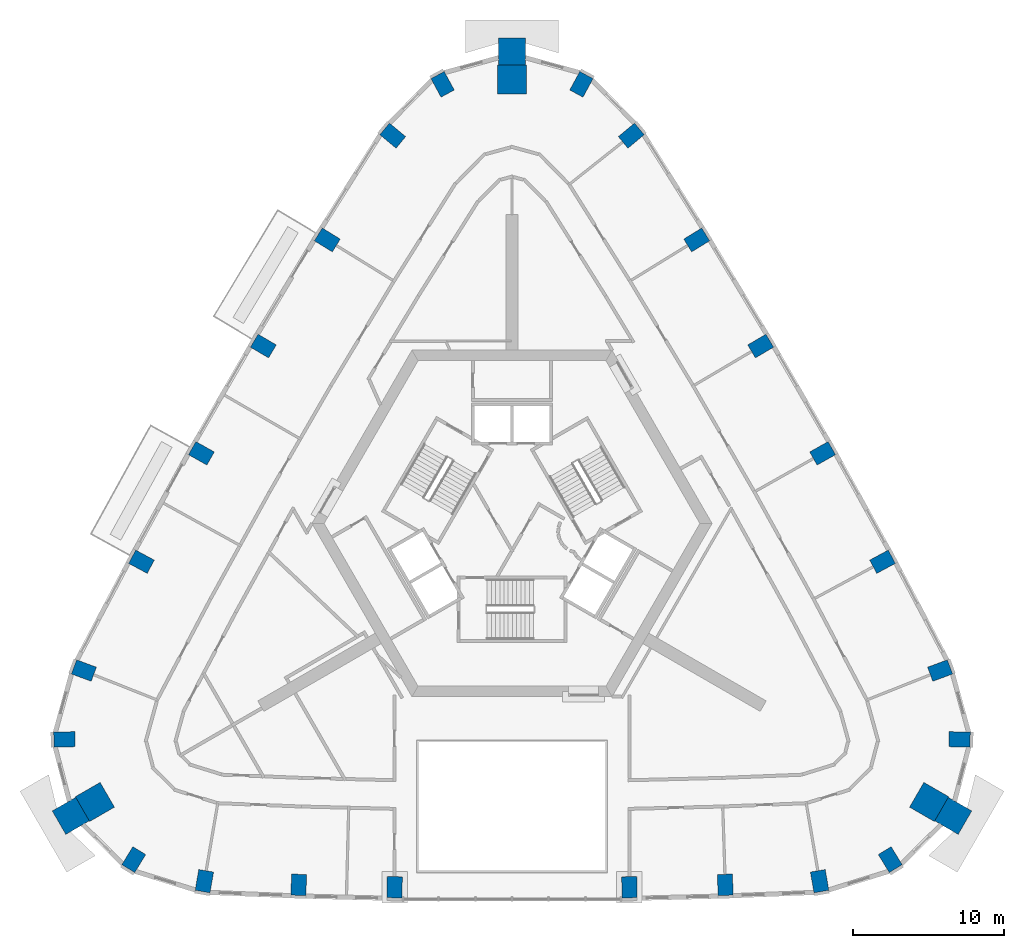
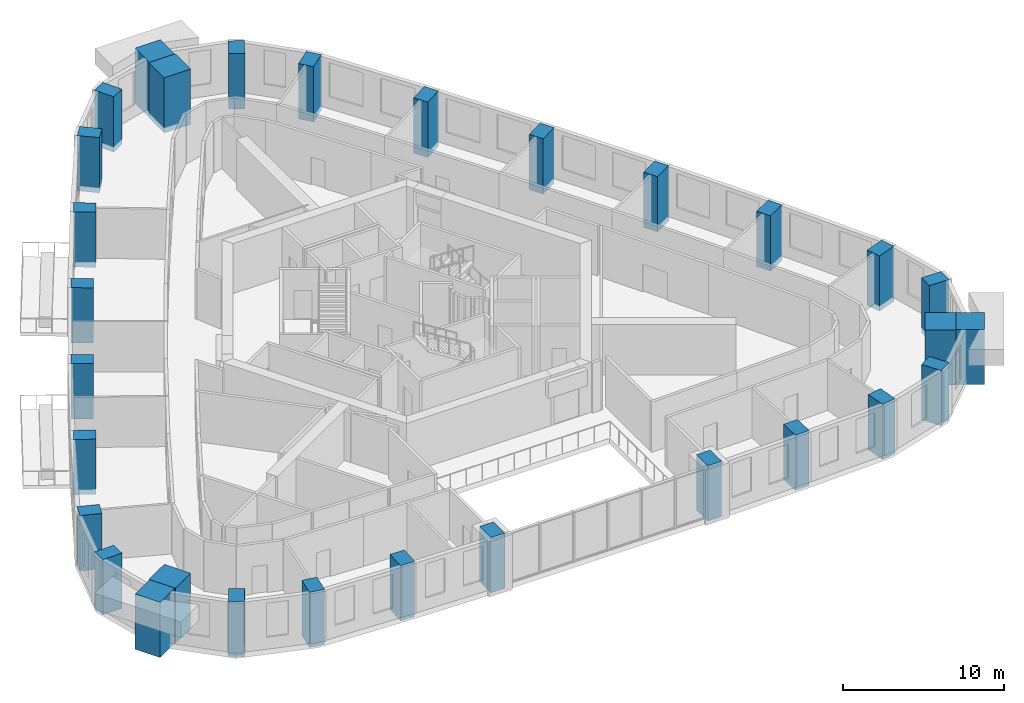
# One storey, part 1 of 13: 30 columns.
"""IFC4 building model written with IfcOpenShell, lengths in metres."""

from ifc_helpers import new_model, si_unit, direction, frame, origin, origin_2d, place, context, subcontext, project, spatial, rectangle, extrude, material, material_profile, profile_set, type_object, element, save


model = new_model("IFC4")

# Units and contexts
model_context = context("Model", 3, precision=1e-05, world=origin(), true_north=direction((0.0, 1.0)))
body_context = subcontext(model_context, "Body", "Model", "MODEL_VIEW")
ifc_project = project(units=[si_unit("LENGTHUNIT", "METRE"), si_unit("AREAUNIT", "SQUARE_METRE"), si_unit("VOLUMEUNIT", "CUBIC_METRE"), si_unit("PLANEANGLEUNIT", "RADIAN"), si_unit("MASSUNIT", "GRAM", prefix="KILO")], contexts=[model_context])

# Site, building, storey
site_placement = place(None, origin())
site = spatial("IfcSite", under=ifc_project, at=site_placement, CompositionType="ELEMENT")
building_placement = place(site_placement, origin())
building = spatial("IfcBuilding", under=site, at=building_placement, Name="Entoto Arch Interchange Tower", CompositionType="ELEMENT")
storey_placement = place(building_placement, frame((0.0, 0.0, 210.800048828125)))
storey = spatial("IfcBuildingStorey", under=building, at=storey_placement, Name="L47", CompositionType="ELEMENT", Elevation=210.800048828125)

# Columns
ifc_material_1 = material(Name="Concrete C50/60", Category="concrete")
ifc_material_profile_1 = material_profile(ifc_material_1, rectangle(XDim=1.0, YDim=1.39990234375, at=origin_2d()))
ifc_profile_set_1 = profile_set([ifc_material_profile_1], Name="Concrete C50/60")
column_type_1 = type_object("IfcColumnType", Name="Column RC 1000x1400 C50/60", PredefinedType="COLUMN", material=ifc_profile_set_1)
for number, where, z_axis, x_axis, name in (
    (1, (-20.4169921875, -21.240966796875, -0.400146484375), (0.0, 0.0, 1.0), (-0.985541276773, 0.169435509195, 0.0), "Column S01 L47"),
    (2, (-14.154052734375, -21.48388671875, -0.400146484375), (0.0, 0.0, 1.0), (-0.999420902032, 0.034027350502, 0.0), "Column S02 L47"),
    (3, (-7.7880859375, -21.64404296875, -0.400146484375), (0.0, 0.0, 1.0), (-0.999913181484, 0.013176854508, 0.0), "Column S03 L47"),
    (4, (7.7880859375, -21.64404296875, -0.400146484375), (0.0, 0.0, 1.0), (0.999913181484, 0.013176854508, 0.0), "Column S04 L47"),
    (5, (14.154052734375, -21.48388671875, -0.400146484375), (0.0, 0.0, 1.0), (0.999420902032, 0.034027350502, 0.0), "Column S05 L47"),
    (6, (20.4169921875, -21.240966796875, -0.400146484375), (0.0, 0.0, 1.0), (0.985541276773, 0.169435509195, 0.0), "Column S06 L47"),
    (7, (25.10205078125, -19.81103515625, -0.400146484375), (0.0, 0.0, 1.0), (0.853423465127, 0.521218178089, 0.0), "Column SE1 L47"),
    (8, (29.70703125, -11.833984375, -0.400146484375), (0.0, 0.0, 1.0), (0.024676450576, 0.99969549003, 0.0), "Column SE3 L47"),
    (9, (28.412109375, -7.263916015625, -0.400146484375), (0.0, 0.0, 1.0), (-0.34706660219, 0.937840484114, 0.0), "Column NE01 L47"),
    (10, (24.591064453125, -0.0419921875, -0.400146484375), (0.0, 0.0, 1.0), (-0.474134310084, 0.880452529102, 0.0), "Column NE02 L47"),
    (11, (20.614990234375, 7.155029296875, -0.400146484375), (0.0, 0.0, 1.0), (-0.491435856222, 0.870913772551, 0.0), "Column NE03 L47"),
    (12, (16.50390625, 14.27490234375, -0.400146484375), (0.0, 0.0, 1.0), (-0.508515523424, 0.861052822095, 0.0), "Column NE04 L47"),
    (13, (12.259033203125, 21.31689453125, -0.400146484375), (0.0, 0.0, 1.0), (-0.525427101986, 0.850838621889, 0.0), "Column NE05 L47"),
    (14, (7.9140625, 28.238037109375, -0.400146484375), (0.0, 0.0, 1.0), (-0.638660382845, 0.769488736359, 0.0), "Column NE06 L47"),
    (15, (4.60498046875, 31.64404296875, -0.400146484375), (0.0, 0.0, 1.0), (-0.878099915703, 0.478477311941, 0.0), "Column N1 L47"),
    (16, (-4.60498046875, 31.64404296875, -0.400146484375), (0.0, 0.0, 1.0), (0.878099915703, 0.478477311941, 0.0), "Column N3 L47"),
    (17, (-7.9140625, 28.238037109375, -0.400146484375), (0.0, 0.0, 1.0), (0.638660382845, 0.769488736359, 0.0), "Column NW01 L47"),
    (18, (-12.259033203125, 21.31689453125, -0.400146484375), (0.0, 0.0, 1.0), (0.525427101986, 0.850838621889, 0.0), "Column NW02 L47"),
    (19, (-16.50390625, 14.27490234375, -0.400146484375), (0.0, 0.0, 1.0), (0.508515523424, 0.861052822095, 0.0), "Column NW03 L47"),
    (20, (-20.614990234375, 7.155029296875, -0.400146484375), (0.0, 0.0, 1.0), (0.491435856222, 0.870913772551, 0.0), "Column NW04 L47"),
    (21, (-24.591064453125, -0.0419921875, -0.400146484375), (0.0, 0.0, 1.0), (0.474134310084, 0.880452529102, 0.0), "Column NW05 L47"),
    (22, (-28.412109375, -7.263916015625, -0.400146484375), (0.0, 0.0, 1.0), (0.34706660219, 0.937840484114, 0.0), "Column NW06 L47"),
    (23, (-29.70703125, -11.833984375, -0.400146484375), (0.0, 0.0, 1.0), (-0.024676450576, 0.99969549003, 0.0), "Column SW1 L47"),
    (24, (-25.10205078125, -19.81103515625, -0.400146484375), (0.0, 0.0, 1.0), (-0.853423465127, 0.521218178089, 0.0), "Column SW3 L47"),
):
    element("IfcColumn", number, at=place(storey_placement, frame(where, z_axis=z_axis, x_axis=x_axis)), inside=storey, type_object=column_type_1, Name=name, PredefinedType="COLUMN", context=body_context, shape_type="SweptSolid", body=[
        extrude(rectangle(XDim=1.0, YDim=1.39990234375, at=origin_2d()), origin(), (0.0, 0.0, 1.0), 4.2001953125),
    ])
ifc_material_2 = material(Name="Precast concrete C40/50", Category="concrete")
ifc_material_profile_2 = material_profile(ifc_material_2, rectangle(XDim=1.800048828125, YDim=1.800048828125, at=origin_2d()))
ifc_profile_set_2 = profile_set([ifc_material_profile_2], Name="Precast concrete C40/50")
column_type_2 = type_object("IfcColumnType", Name="Frame post RC 1800x1800 precast C40/50", PredefinedType="COLUMN", material=ifc_profile_set_2)
for number, where, z_axis, x_axis, name in (
    (25, (29.284912109375, -16.907958984375, -0.400146484375), (0.0, 0.0, 1.0), (-0.866025403784, 0.5, 0.0), "Frame post SE L47"),
    (26, (0.0, 33.81494140625, -0.400146484375), (0.0, 0.0, 1.0), (0.0, 1.0, 0.0), "Frame post N L47"),
    (27, (-29.284912109375, -16.907958984375, -0.400146484375), (0.0, 0.0, 1.0), (0.866025403784, 0.5, 0.0), "Frame post SW L47"),
):
    element("IfcColumn", number, at=place(storey_placement, frame(where, z_axis=z_axis, x_axis=x_axis)), inside=storey, type_object=column_type_2, Name=name, PredefinedType="COLUMN", context=body_context, shape_type="SweptSolid", body=[
        extrude(rectangle(XDim=1.800048828125, YDim=1.800048828125, at=origin_2d()), origin(), (0.0, 0.0, 1.0), 4.2001953125),
    ])
ifc_material_profile_3 = material_profile(ifc_material_1, rectangle(XDim=1.89990234375, YDim=1.89990234375, at=origin_2d()))
ifc_profile_set_3 = profile_set([ifc_material_profile_3], Name="Concrete C50/60")
column_type_3 = type_object("IfcColumnType", Name="Mega column RC 1900x1900 C50/60", PredefinedType="COLUMN", material=ifc_profile_set_3)
for number, where, z_axis, x_axis, name in (
    (28, (27.68310546875, -15.98291015625, -0.400146484375), (0.0, 0.0, 1.0), (-0.866025403784, 0.5, 0.0), "Corner mega column SE2 L47"),
    (29, (0.0, 31.965087890625, -0.400146484375), (0.0, 0.0, 1.0), (0.0, 1.0, 0.0), "Corner mega column N2 L47"),
    (30, (-27.68310546875, -15.98291015625, -0.400146484375), (0.0, 0.0, 1.0), (0.866025403784, 0.5, 0.0), "Corner mega column SW2 L47"),
):
    element("IfcColumn", number, at=place(storey_placement, frame(where, z_axis=z_axis, x_axis=x_axis)), inside=storey, type_object=column_type_3, Name=name, PredefinedType="COLUMN", context=body_context, shape_type="SweptSolid", body=[
        extrude(rectangle(XDim=1.89990234375, YDim=1.89990234375, at=origin_2d()), origin(), (0.0, 0.0, 1.0), 4.2001953125),
    ])

save(model, "model.ifc")
